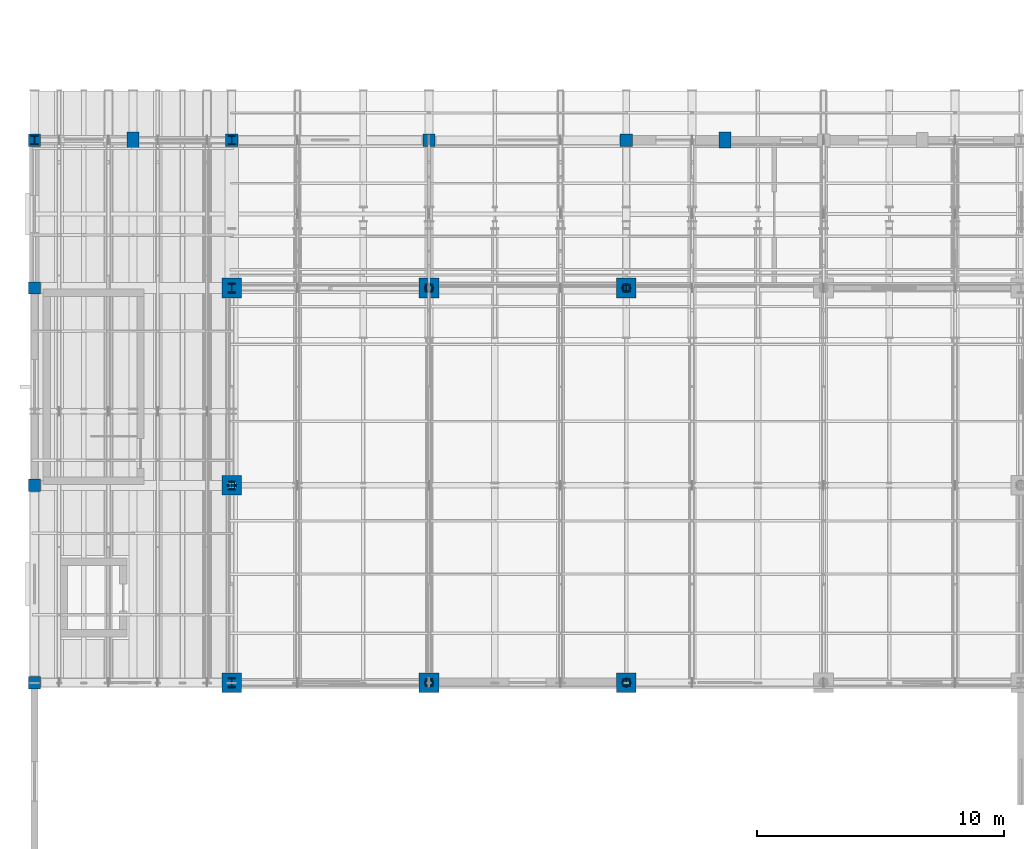
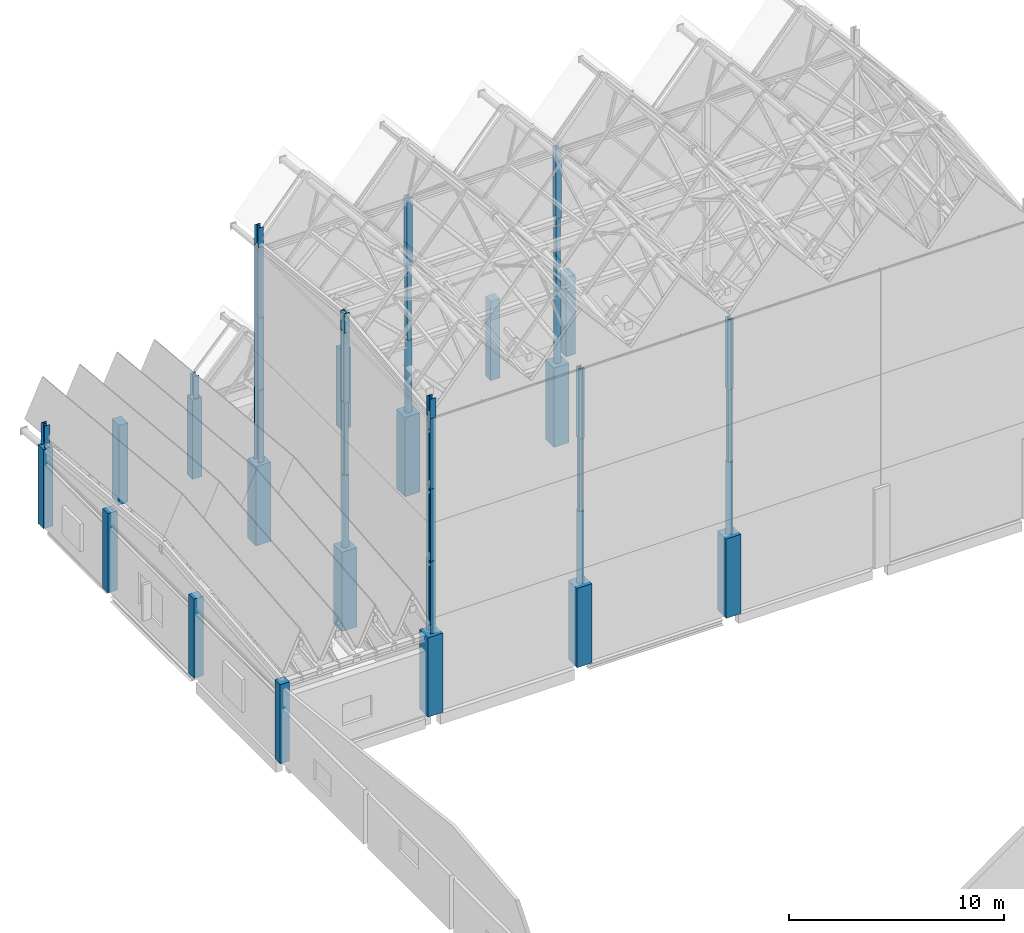
# One storey, part 1 of 48: 42 columns.
"""IFC4 building model written with IfcOpenShell, lengths in metres."""

from ifc_helpers import new_model, si_unit, direction, frame, origin, origin_2d, place, context, subcontext, project, spatial, rectangle, hollow_rectangle, hollow_circle, i_section, extrude, material, material_profile, profile_set, type_object, element, save


model = new_model("IFC4")

# Units and contexts
model_context = context("Model", 3, precision=1e-05, world=origin(), true_north=direction((0.0, 1.0)))
body_context = subcontext(model_context, "Body", "Model", "MODEL_VIEW")
ifc_project = project(units=[si_unit("LENGTHUNIT", "METRE"), si_unit("AREAUNIT", "SQUARE_METRE"), si_unit("VOLUMEUNIT", "CUBIC_METRE"), si_unit("PLANEANGLEUNIT", "RADIAN"), si_unit("MASSUNIT", "GRAM", prefix="KILO")], contexts=[model_context])

# Site, building, storey
site_placement = place(None, origin())
site = spatial("IfcSite", under=ifc_project, at=site_placement, CompositionType="ELEMENT")
building_placement = place(site_placement, origin())
building = spatial("IfcBuilding", under=site, at=building_placement, Name="Luwemba Playhouse", CompositionType="ELEMENT")
storey_placement = place(building_placement, frame((0.0, 0.0, 13.800048828125)))
storey = spatial("IfcBuildingStorey", under=building, at=storey_placement, Name="L03", CompositionType="ELEMENT", Elevation=13.800048828125)

# Columns
ifc_material_1 = material(Name="Concrete C40/50", Category="concrete")
ifc_material_profile_1 = material_profile(ifc_material_1, rectangle(XDim=0.5, YDim=0.5, at=origin_2d()))
ifc_profile_set_1 = profile_set([ifc_material_profile_1], Name="Concrete C40/50")
column_type_1 = type_object("IfcColumnType", Name="COL-C02", PredefinedType="COLUMN", material=ifc_profile_set_1)
for number, where, z_axis, x_axis, name in (
    (1, (4.0, 68.0, 0.0), (0.0, 0.0, 1.0), (1.0, 0.0, 0.0), "L03 column 009"),
    (2, (4.0, 76.0, 0.0), (0.0, 0.0, 1.0), (1.0, 0.0, 0.0), "L03 column 010"),
    (3, (4.0, 84.0, 0.0), (0.0, 0.0, 1.0), (1.0, 0.0, 0.0), "L03 column 011"),
    (4, (4.0, 90.0, 0.0), (0.0, 0.0, 1.0), (1.0, 0.0, 0.0), "L03 column 012"),
    (5, (12.0, 90.0, 0.0), (0.0, 0.0, 1.0), (1.0, 0.0, 0.0), "L03 column 033"),
    (6, (20.0, 90.0, 0.0), (0.0, 0.0, 1.0), (1.0, 0.0, 0.0), "L03 column 049"),
    (7, (28.0, 90.0, 0.0), (0.0, 0.0, 1.0), (1.0, 0.0, 0.0), "L03 column 065"),
):
    element("IfcColumn", number, at=place(storey_placement, frame(where, z_axis=z_axis, x_axis=x_axis)), inside=storey, type_object=column_type_1, Name=name, PredefinedType="COLUMN", context=body_context, shape_type="SweptSolid", body=[
        extrude(rectangle(XDim=0.5, YDim=0.5, at=origin_2d()), origin(), (0.0, 0.0, 1.0), 4.5),
    ])
ifc_material_profile_2 = material_profile(ifc_material_1, rectangle(XDim=0.800048828125, YDim=0.800048828125, at=origin_2d()))
ifc_profile_set_2 = profile_set([ifc_material_profile_2], Name="Concrete C40/50")
column_type_2 = type_object("IfcColumnType", Name="COL-C08", PredefinedType="COLUMN", material=ifc_profile_set_2)
for number, where, z_axis, x_axis, name in (
    (8, (12.0, 68.0, 0.0), (0.0, 0.0, 1.0), (1.0, 0.0, 0.0), "L03 column 030"),
    (9, (12.0, 76.0, 0.0), (0.0, 0.0, 1.0), (1.0, 0.0, 0.0), "L03 column 031"),
    (10, (12.0, 84.0, 0.0), (0.0, 0.0, 1.0), (1.0, 0.0, 0.0), "L03 column 032"),
    (11, (20.0, 68.0, 0.0), (0.0, 0.0, 1.0), (1.0, 0.0, 0.0), "L03 column 047"),
    (12, (20.0, 84.0, 0.0), (0.0, 0.0, 1.0), (1.0, 0.0, 0.0), "L03 column 048"),
    (13, (28.0, 68.0, 0.0), (0.0, 0.0, 1.0), (1.0, 0.0, 0.0), "L03 column 063"),
    (14, (28.0, 84.0, 0.0), (0.0, 0.0, 1.0), (1.0, 0.0, 0.0), "L03 column 064"),
):
    element("IfcColumn", number, at=place(storey_placement, frame(where, z_axis=z_axis, x_axis=x_axis)), inside=storey, type_object=column_type_2, Name=name, PredefinedType="COLUMN", context=body_context, shape_type="SweptSolid", body=[
        extrude(rectangle(XDim=0.800048828125, YDim=0.800048828125, at=origin_2d()), origin(), (0.0, 0.0, 1.0), 4.5),
    ])
ifc_material_profile_3 = material_profile(ifc_material_1, rectangle(XDim=0.5, YDim=0.64990234375, at=origin_2d()))
ifc_profile_set_3 = profile_set([ifc_material_profile_3], Name="Concrete C40/50")
column_type_3 = type_object("IfcColumnType", Name="COL-PIL3", PredefinedType="PILASTER", material=ifc_profile_set_3)
for number, where, z_axis, x_axis, name in (
    (15, (8.0, 90.0, 0.0), (0.0, 0.0, 1.0), (1.0, 0.0, 0.0), "L03 column 019"),
    (16, (32.0, 90.0, 0.0), (0.0, 0.0, 1.0), (1.0, 0.0, 0.0), "L03 column 072"),
):
    element("IfcColumn", number, at=place(storey_placement, frame(where, z_axis=z_axis, x_axis=x_axis)), inside=storey, type_object=column_type_3, Name=name, PredefinedType="PILASTER", context=body_context, shape_type="SweptSolid", body=[
        extrude(rectangle(XDim=0.5, YDim=0.64990234375, at=origin_2d()), origin(), (0.0, 0.0, 1.0), 4.5),
    ])
ifc_material_2 = material(Name="Steel S355", Category="steel")
ifc_material_profile_4 = material_profile(ifc_material_2, i_section(OverallWidth=0.300048828125, OverallDepth=0.300048828125, WebThickness=0.010986328125, FlangeThickness=0.01904296875, FilletRadius=0.027099609375, at=origin_2d()))
ifc_profile_set_4 = profile_set([ifc_material_profile_4], Name="Steel S355")
column_type_4 = type_object("IfcColumnType", Name="COL-SC1", PredefinedType="COLUMN", material=ifc_profile_set_4)
for number, where, z_axis, x_axis, name in (
    (17, (12.0, 76.0, 12.699951171875), (0.0, 0.0, 1.0), (1.0, 0.0, 0.0), "Fly tower steel column 006"),
    (18, (20.0, 68.0, 12.699951171875), (0.0, 0.0, 1.0), (1.0, 0.0, 0.0), "Fly tower steel column 012"),
    (19, (20.0, 84.0, 12.699951171875), (0.0, 0.0, 1.0), (1.0, 0.0, 0.0), "Fly tower steel column 015"),
    (20, (28.0, 68.0, 12.699951171875), (0.0, 0.0, 1.0), (1.0, 0.0, 0.0), "Fly tower steel column 018"),
    (21, (28.0, 84.0, 12.699951171875), (0.0, 0.0, 1.0), (1.0, 0.0, 0.0), "Fly tower steel column 021"),
):
    element("IfcColumn", number, at=place(storey_placement, frame(where, z_axis=z_axis, x_axis=x_axis)), inside=storey, type_object=column_type_4, Name=name, PredefinedType="COLUMN", context=body_context, shape_type="SweptSolid", body=[
        extrude(i_section(OverallWidth=0.300048828125, OverallDepth=0.300048828125, WebThickness=0.010986328125, FlangeThickness=0.01904296875, FilletRadius=0.027099609375, at=origin_2d()), origin(), (0.0, 0.0, 1.0), 4.0),
    ])
ifc_material_profile_5 = material_profile(ifc_material_2, i_section(OverallWidth=0.300048828125, OverallDepth=0.340087890625, WebThickness=0.011962890625, FlangeThickness=0.021484375, FilletRadius=0.027099609375, at=origin_2d()))
ifc_profile_set_5 = profile_set([ifc_material_profile_5], Name="Steel S355")
column_type_5 = type_object("IfcColumnType", Name="COL-SC2", PredefinedType="COLUMN", material=ifc_profile_set_5)
for number, where, z_axis, x_axis, name in (
    (22, (12.0, 68.0, 12.699951171875), (0.0, 0.0, 1.0), (1.0, 0.0, 0.0), "Fly tower steel column 003"),
    (23, (12.0, 84.0, 12.699951171875), (0.0, 0.0, 1.0), (1.0, 0.0, 0.0), "Fly tower steel column 009"),
):
    element("IfcColumn", number, at=place(storey_placement, frame(where, z_axis=z_axis, x_axis=x_axis)), inside=storey, type_object=column_type_5, Name=name, PredefinedType="COLUMN", context=body_context, shape_type="SweptSolid", body=[
        extrude(i_section(OverallWidth=0.300048828125, OverallDepth=0.340087890625, WebThickness=0.011962890625, FlangeThickness=0.021484375, FilletRadius=0.027099609375, at=origin_2d()), origin(), (0.0, 0.0, 1.0), 4.0),
    ])
for number, where, z_axis, x_axis, name in (
    (24, (12.0, 68.0, 16.699951171875), (0.0, 0.0, 1.0), (1.0, 0.0, 0.0), "RF-V2-FLY south corner apex stub"),
    (25, (12.0, 84.0, 16.699951171875), (0.0, 0.0, 1.0), (1.0, 0.0, 0.0), "RF-V2-FLY north corner apex stub"),
    (26, (12.0, 76.0, 16.699951171875), (0.0, 0.0, 1.0), (1.0, 0.0, 0.0), "RF-V2-FLY mid corner apex stub"),
):
    element("IfcColumn", number, at=place(storey_placement, frame(where, z_axis=z_axis, x_axis=x_axis)), inside=storey, type_object=column_type_5, Name=name, PredefinedType="COLUMN", context=body_context, shape_type="SweptSolid", body=[
        extrude(i_section(OverallWidth=0.300048828125, OverallDepth=0.340087890625, WebThickness=0.011962890625, FlangeThickness=0.021484375, FilletRadius=0.027099609375, at=origin_2d()), origin(), (0.0, 0.0, 1.0), 1.1171875),
    ])
for number, where, z_axis, x_axis, name in (
    (27, (4.0, 90.0, 4.5), (0.0, 0.0, 1.0), (1.0, 0.0, 0.0), "RF-V2-LOW north corner apex stub"),
    (28, (12.0, 90.0, 4.5), (0.0, 0.0, 1.0), (1.0, 0.0, 0.0), "RF-V2-LOW north corner apex stub"),
):
    element("IfcColumn", number, at=place(storey_placement, frame(where, z_axis=z_axis, x_axis=x_axis)), inside=storey, type_object=column_type_5, Name=name, PredefinedType="COLUMN", context=body_context, shape_type="SweptSolid", body=[
        extrude(i_section(OverallWidth=0.300048828125, OverallDepth=0.340087890625, WebThickness=0.011962890625, FlangeThickness=0.021484375, FilletRadius=0.027099609375, at=origin_2d()), origin(), (0.0, 0.0, 1.0), 1.243896484375),
    ])
ifc_material_profile_6 = material_profile(ifc_material_2, i_section(OverallWidth=0.300048828125, OverallDepth=0.360107421875, WebThickness=0.012451171875, FlangeThickness=0.0224609375, FilletRadius=0.027099609375, at=origin_2d()))
ifc_profile_set_6 = profile_set([ifc_material_profile_6], Name="Steel S355")
column_type_6 = type_object("IfcColumnType", Name="COL-SC3", PredefinedType="COLUMN", material=ifc_profile_set_6)
for number, where, z_axis, x_axis, name in (
    (29, (12.0, 68.0, 8.599853515625), (0.0, 0.0, 1.0), (1.0, 0.0, 0.0), "Fly tower steel column 002"),
    (30, (12.0, 84.0, 8.599853515625), (0.0, 0.0, 1.0), (1.0, 0.0, 0.0), "Fly tower steel column 008"),
):
    element("IfcColumn", number, at=place(storey_placement, frame(where, z_axis=z_axis, x_axis=x_axis)), inside=storey, type_object=column_type_6, Name=name, PredefinedType="COLUMN", context=body_context, shape_type="SweptSolid", body=[
        extrude(i_section(OverallWidth=0.300048828125, OverallDepth=0.360107421875, WebThickness=0.012451171875, FlangeThickness=0.0224609375, FilletRadius=0.027099609375, at=origin_2d()), origin(), (0.0, 0.0, 1.0), 4.10009765625),
    ])
ifc_material_profile_7 = material_profile(ifc_material_2, i_section(OverallWidth=0.300048828125, OverallDepth=0.39990234375, WebThickness=0.013427734375, FlangeThickness=0.02392578125, FilletRadius=0.027099609375, at=origin_2d()))
ifc_profile_set_7 = profile_set([ifc_material_profile_7], Name="Steel S355")
column_type_7 = type_object("IfcColumnType", Name="COL-SC4", PredefinedType="COLUMN", material=ifc_profile_set_7)
for number, where, z_axis, x_axis, name in (
    (31, (12.0, 68.0, 4.5), (0.0, 0.0, 1.0), (1.0, 0.0, 0.0), "Fly tower steel column 001"),
    (32, (12.0, 84.0, 4.5), (0.0, 0.0, 1.0), (1.0, 0.0, 0.0), "Fly tower steel column 007"),
):
    element("IfcColumn", number, at=place(storey_placement, frame(where, z_axis=z_axis, x_axis=x_axis)), inside=storey, type_object=column_type_7, Name=name, PredefinedType="COLUMN", context=body_context, shape_type="SweptSolid", body=[
        extrude(i_section(OverallWidth=0.300048828125, OverallDepth=0.39990234375, WebThickness=0.013427734375, FlangeThickness=0.02392578125, FilletRadius=0.027099609375, at=origin_2d()), origin(), (0.0, 0.0, 1.0), 4.099853515625),
    ])
ifc_material_profile_8 = material_profile(ifc_material_2, hollow_circle(Radius=0.177734375, WallThickness=0.01611328125, at=origin_2d()))
ifc_profile_set_8 = profile_set([ifc_material_profile_8], Name="Steel S355")
column_type_8 = type_object("IfcColumnType", Name="COL-SC5", PredefinedType="COLUMN", material=ifc_profile_set_8)
for number, where, z_axis, x_axis, name in (
    (33, (12.0, 76.0, 4.5), (0.0, 0.0, 1.0), (1.0, 0.0, 0.0), "Fly tower steel column 004"),
    (34, (20.0, 68.0, 4.5), (0.0, 0.0, 1.0), (1.0, 0.0, 0.0), "Fly tower steel column 010"),
    (35, (20.0, 84.0, 4.5), (0.0, 0.0, 1.0), (1.0, 0.0, 0.0), "Fly tower steel column 013"),
    (36, (28.0, 68.0, 4.5), (0.0, 0.0, 1.0), (1.0, 0.0, 0.0), "Fly tower steel column 016"),
    (37, (28.0, 84.0, 4.5), (0.0, 0.0, 1.0), (1.0, 0.0, 0.0), "Fly tower steel column 019"),
):
    element("IfcColumn", number, at=place(storey_placement, frame(where, z_axis=z_axis, x_axis=x_axis)), inside=storey, type_object=column_type_8, Name=name, PredefinedType="COLUMN", context=body_context, shape_type="SweptSolid", body=[
        extrude(hollow_circle(Radius=0.177734375, WallThickness=0.01611328125, at=origin_2d()), origin(), (0.0, 0.0, 1.0), 4.099853515625),
    ])
ifc_material_profile_9 = material_profile(ifc_material_2, hollow_rectangle(XDim=0.25, YDim=0.25, WallThickness=0.012451171875, InnerFilletRadius=0.018798828125, OuterFilletRadius=0.03125, at=origin_2d()))
ifc_profile_set_9 = profile_set([ifc_material_profile_9], Name="Steel S355")
column_type_9 = type_object("IfcColumnType", Name="COL-SC6", PredefinedType="COLUMN", material=ifc_profile_set_9)
for number, where, z_axis, x_axis, name in (
    (38, (12.0, 76.0, 8.599853515625), (0.0, 0.0, 1.0), (1.0, 0.0, 0.0), "Fly tower steel column 005"),
    (39, (20.0, 68.0, 8.599853515625), (0.0, 0.0, 1.0), (1.0, 0.0, 0.0), "Fly tower steel column 011"),
    (40, (20.0, 84.0, 8.599853515625), (0.0, 0.0, 1.0), (1.0, 0.0, 0.0), "Fly tower steel column 014"),
    (41, (28.0, 68.0, 8.599853515625), (0.0, 0.0, 1.0), (1.0, 0.0, 0.0), "Fly tower steel column 017"),
    (42, (28.0, 84.0, 8.599853515625), (0.0, 0.0, 1.0), (1.0, 0.0, 0.0), "Fly tower steel column 020"),
):
    element("IfcColumn", number, at=place(storey_placement, frame(where, z_axis=z_axis, x_axis=x_axis)), inside=storey, type_object=column_type_9, Name=name, PredefinedType="COLUMN", context=body_context, shape_type="SweptSolid", body=[
        extrude(hollow_rectangle(XDim=0.25, YDim=0.25, WallThickness=0.012451171875, InnerFilletRadius=0.018798828125, OuterFilletRadius=0.03125, at=origin_2d()), origin(), (0.0, 0.0, 1.0), 4.10009765625),
    ])

save(model, "model.ifc")
